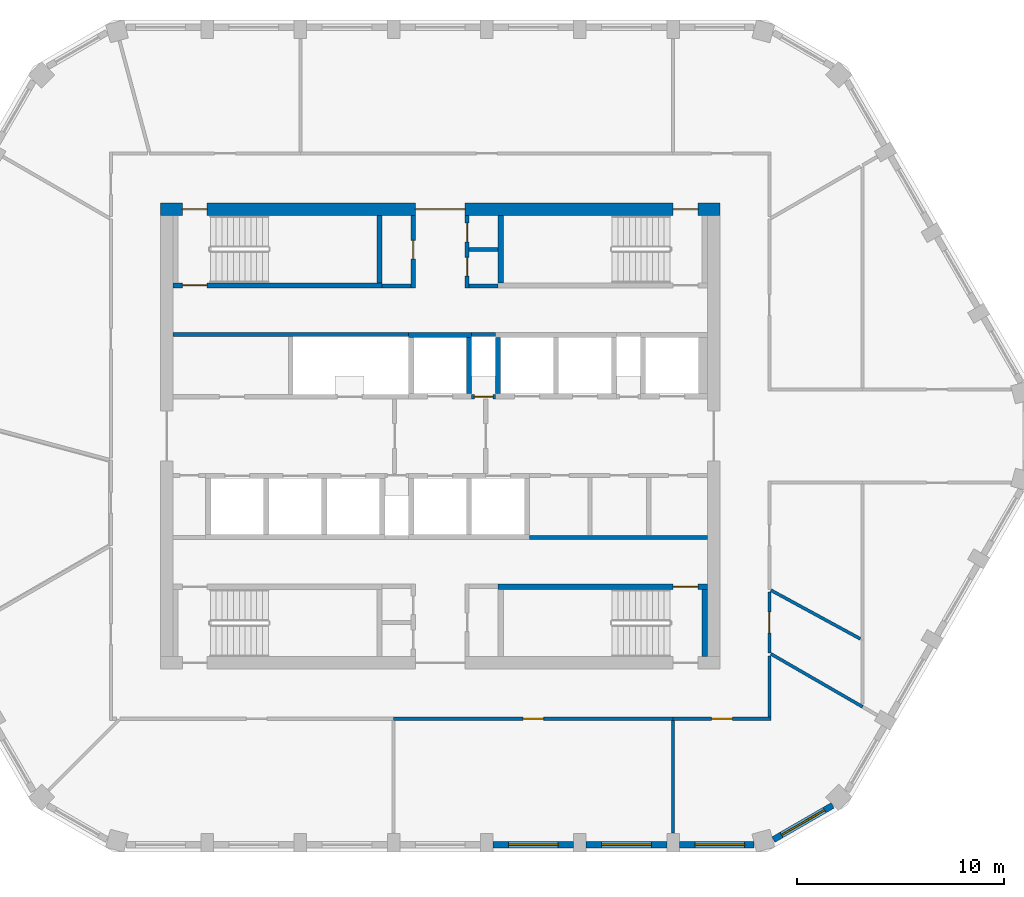
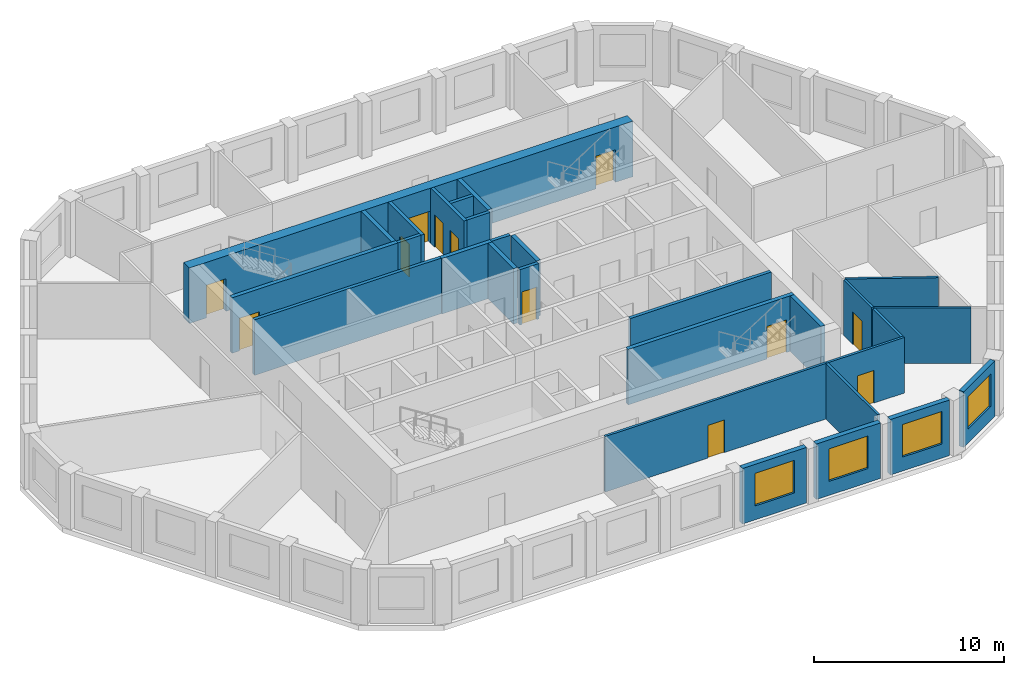
# One storey, part 4 of 9: 29 walls, 12 doors, 4 windows, 16 openings.
"""IFC4 building model written with IfcOpenShell, lengths in metres."""

from ifc_helpers import new_model, si_unit, direction, frame, frame_2d, origin, place, context, subcontext, project, spatial, polyline, rectangle, outline, extrude, material, layer, layer_set, type_object, element, fill, save


model = new_model("IFC4")

# Units and contexts
model_context = context("Model", 3, precision=1e-05, world=origin(), true_north=direction((0.0, 1.0)))
body_context = subcontext(model_context, "Body", "Model", "MODEL_VIEW")
ifc_project = project(units=[si_unit("LENGTHUNIT", "METRE"), si_unit("AREAUNIT", "SQUARE_METRE"), si_unit("VOLUMEUNIT", "CUBIC_METRE"), si_unit("PLANEANGLEUNIT", "RADIAN"), si_unit("MASSUNIT", "GRAM", prefix="KILO")], contexts=[model_context])

# Site, building, storey
site_placement = place(None, origin())
site = spatial("IfcSite", under=ifc_project, at=site_placement, CompositionType="ELEMENT")
building_placement = place(site_placement, origin())
building = spatial("IfcBuilding", under=site, at=building_placement, Name="Dhurran Vertical Campus", CompositionType="ELEMENT")
storey_placement = place(building_placement, frame((0.0, 0.0, 290.39990234375)))
storey = spatial("IfcBuildingStorey", under=building, at=storey_placement, Name="L72", CompositionType="ELEMENT", Elevation=290.39990234375)

# Wall, opening, window
ifc_material_1 = material(Name="Precast concrete C50/60", Category="concrete")
ifc_layer_1 = layer(ifc_material_1, 0.300048828125)
ifc_layer_set_1 = layer_set([ifc_layer_1], Name="Precast concrete C50/60")
wall_type_1 = type_object("IfcWallType", Name="Precast spandrel wall 300", PredefinedType="SOLIDWALL", material=ifc_layer_set_1)
wall_1_placement = place(storey_placement, frame((2.550537109375, -19.738525390625, 0.0), z_axis=(0.0, 0.0, 1.0), x_axis=(1.0, 0.0, 0.0)))
wall_1 = element("IfcWall", 1, at=wall_1_placement, inside=storey, type_object=wall_type_1, Name="EW1 L72.04", PredefinedType="SOLIDWALL", context=body_context, shape_type="SweptSolid", body=[
    extrude(rectangle(XDim=3.89892578125, YDim=0.300048828125, at=frame_2d((1.949462890625, 0.0))), origin(), (0.0, 0.0, 1.0), 3.5751953125),
])
opening_1_placement = place(wall_1_placement, frame((0.74951171875, 0.0, 0.89990234375)))
opening_1 = element("IfcOpeningElement", 2, at=opening_1_placement, cuts=wall_1, Name="Opening WT1", PredefinedType="OPENING", context=body_context, shape_type="SweptSolid", body=[
    extrude(rectangle(XDim=2.39990234375, YDim=2.10009765625, at=frame_2d((1.199951171875, 1.050048828125))), frame((0.0, 0.159912109375, 0.0), z_axis=(0.0, -1.0, 0.0), x_axis=(1.0, 0.0, 0.0)), (0.0, 0.0, 1.0), 0.320068359375),
])
ifc_material_2 = material(Name="Aluminium frame with solar-control glass", Category="aluminium")
window_type = type_object("IfcWindowType", Name="Punched window 2400 x 2100", PartitioningType="SINGLE_PANEL", PredefinedType="WINDOW", material=ifc_material_2)
window_1_placement = place(opening_1_placement, origin())
window_1 = element("IfcWindow", 3, at=window_1_placement, inside=storey, type_object=window_type, Name="WT1 L72.04", OverallHeight=2.10009765625, OverallWidth=2.39990234375, PartitioningType="SINGLE_PANEL", PredefinedType="WINDOW", context=body_context, shape_type="SweptSolid", body=[
    extrude(rectangle(XDim=2.39990234375, YDim=2.10009765625, at=frame_2d((1.199951171875, 1.050048828125))), frame((0.0, 0.030029296875, 0.0), z_axis=(0.0, -1.0, 0.0), x_axis=(1.0, 0.0, 0.0)), (0.0, 0.0, 1.0), 0.06005859375),
])
fill(opening_1, window_1)

wall_2_placement = place(storey_placement, frame((7.050537109375, -19.738525390625, 0.0), z_axis=(0.0, 0.0, 1.0), x_axis=(1.0, 0.0, 0.0)))
wall_2 = element("IfcWall", 4, at=wall_2_placement, inside=storey, type_object=wall_type_1, Name="EW1 L72.05", PredefinedType="SOLIDWALL", context=body_context, shape_type="SweptSolid", body=[
    extrude(rectangle(XDim=3.89892578125, YDim=0.300048828125, at=frame_2d((1.949462890625, 0.0))), origin(), (0.0, 0.0, 1.0), 3.5751953125),
])
opening_2_placement = place(wall_2_placement, frame((0.74951171875, 0.0, 0.89990234375)))
opening_2 = element("IfcOpeningElement", 5, at=opening_2_placement, cuts=wall_2, Name="Opening WT1", PredefinedType="OPENING", context=body_context, shape_type="SweptSolid", body=[
    extrude(rectangle(XDim=2.39990234375, YDim=2.10009765625, at=frame_2d((1.199951171875, 1.050048828125))), frame((0.0, 0.159912109375, 0.0), z_axis=(0.0, -1.0, 0.0), x_axis=(1.0, 0.0, 0.0)), (0.0, 0.0, 1.0), 0.320068359375),
])
window_2_placement = place(opening_2_placement, origin())
window_2 = element("IfcWindow", 6, at=window_2_placement, inside=storey, type_object=window_type, Name="WT1 L72.05", OverallHeight=2.10009765625, OverallWidth=2.39990234375, PartitioningType="SINGLE_PANEL", PredefinedType="WINDOW", context=body_context, shape_type="SweptSolid", body=[
    extrude(rectangle(XDim=2.39990234375, YDim=2.10009765625, at=frame_2d((1.199951171875, 1.050048828125))), frame((0.0, 0.030029296875, 0.0), z_axis=(0.0, -1.0, 0.0), x_axis=(1.0, 0.0, 0.0)), (0.0, 0.0, 1.0), 0.06005859375),
])
fill(opening_2, window_2)

wall_3_placement = place(storey_placement, frame((11.550537109375, -19.738525390625, 0.0), z_axis=(0.0, 0.0, 1.0), x_axis=(1.0, 0.0, 0.0)))
wall_3 = element("IfcWall", 7, at=wall_3_placement, inside=storey, type_object=wall_type_1, Name="EW1 L72.06", PredefinedType="SOLIDWALL", context=body_context, shape_type="SweptSolid", body=[
    extrude(rectangle(XDim=3.599365234375, YDim=0.300048828125, at=frame_2d((1.7998046875, 0.0))), origin(), (0.0, 0.0, 1.0), 3.5751953125),
])
opening_3_placement = place(wall_3_placement, frame((0.74951171875, 0.0, 0.89990234375)))
opening_3 = element("IfcOpeningElement", 8, at=opening_3_placement, cuts=wall_3, Name="Opening WT1", PredefinedType="OPENING", context=body_context, shape_type="SweptSolid", body=[
    extrude(rectangle(XDim=2.39990234375, YDim=2.10009765625, at=frame_2d((1.199951171875, 1.050048828125))), frame((0.0, 0.159912109375, 0.0), z_axis=(0.0, -1.0, 0.0), x_axis=(1.0, 0.0, 0.0)), (0.0, 0.0, 1.0), 0.320068359375),
])
window_3_placement = place(opening_3_placement, origin())
window_3 = element("IfcWindow", 9, at=window_3_placement, inside=storey, type_object=window_type, Name="WT1 L72.06", OverallHeight=2.10009765625, OverallWidth=2.39990234375, PartitioningType="SINGLE_PANEL", PredefinedType="WINDOW", context=body_context, shape_type="SweptSolid", body=[
    extrude(rectangle(XDim=2.39990234375, YDim=2.10009765625, at=frame_2d((1.199951171875, 1.050048828125))), frame((0.0, 0.030029296875, 0.0), z_axis=(0.0, -1.0, 0.0), x_axis=(1.0, 0.0, 0.0)), (0.0, 0.0, 1.0), 0.06005859375),
])
fill(opening_3, window_3)

wall_4_placement = place(storey_placement, frame((16.0947265625, -19.4853515625, 0.0), z_axis=(0.0, 0.0, 1.0), x_axis=(0.866021716278, 0.500006386895, 0.0)))
wall_4 = element("IfcWall", 10, at=wall_4_placement, inside=storey, type_object=wall_type_1, Name="EW1 L72.07", PredefinedType="SOLIDWALL", context=body_context, shape_type="SweptSolid", body=[
    extrude(rectangle(XDim=3.2998046875, YDim=0.300048828125, at=frame_2d((1.64990234375, 0.0))), origin(), (0.0, 0.0, 1.0), 3.5751953125),
])
opening_4_placement = place(wall_4_placement, frame((0.449951171875, 0.0, 0.89990234375)))
opening_4 = element("IfcOpeningElement", 11, at=opening_4_placement, cuts=wall_4, Name="Opening WT1", PredefinedType="OPENING", context=body_context, shape_type="SweptSolid", body=[
    extrude(rectangle(XDim=2.39990234375, YDim=2.10009765625, at=frame_2d((1.199951171875, 1.050048828125))), frame((0.0, 0.159912109375, 0.0), z_axis=(0.0, -1.0, 0.0), x_axis=(1.0, 0.0, 0.0)), (0.0, 0.0, 1.0), 0.320068359375),
])
window_4_placement = place(opening_4_placement, origin())
window_4 = element("IfcWindow", 12, at=window_4_placement, inside=storey, type_object=window_type, Name="WT1 L72.07", OverallHeight=2.10009765625, OverallWidth=2.39990234375, PartitioningType="SINGLE_PANEL", PredefinedType="WINDOW", context=body_context, shape_type="SweptSolid", body=[
    extrude(rectangle(XDim=2.39990234375, YDim=2.10009765625, at=frame_2d((1.199951171875, 1.050048828125))), frame((0.0, 0.030029296875, 0.0), z_axis=(0.0, -1.0, 0.0), x_axis=(1.0, 0.0, 0.0)), (0.0, 0.0, 1.0), 0.06005859375),
])
fill(opening_4, window_4)

# Wall, openings, doors
ifc_material_3 = material(Name="Concrete C50/60", Category="concrete")
ifc_layer_2 = layer(ifc_material_3, 0.60009765625)
ifc_layer_set_2 = layer_set([ifc_layer_2], Name="Concrete C50/60")
wall_type_2 = type_object("IfcWallType", Name="co-CORE-WALL-C2-600", PredefinedType="SHEAR", material=ifc_layer_set_2)
wall_5_placement = place(storey_placement, frame((-13.5, 10.949951171875, 0.0), z_axis=(0.0, 0.0, 1.0), x_axis=(1.0, 0.0, 0.0)))
wall_5 = element("IfcWall", 13, at=wall_5_placement, inside=storey, type_object=wall_type_2, Name="Core wall N L72", PredefinedType="SHEAR", context=body_context, shape_type="SweptSolid", body=[
    extrude(rectangle(XDim=27.0, YDim=0.60009765625, at=frame_2d((13.5, 0.0))), origin(), (0.0, 0.0, 1.0), 3.5751953125),
])
opening_5_placement = place(wall_5_placement, frame((12.300048828125, 0.0, 0.0)))
opening_5 = element("IfcOpeningElement", 14, at=opening_5_placement, cuts=wall_5, Name="Opening CV1", PredefinedType="OPENING", context=body_context, shape_type="SweptSolid", body=[
    extrude(rectangle(XDim=2.39990234375, YDim=2.10009765625, at=frame_2d((1.199951171875, 1.050048828125))), frame((0.0, 0.31005859375, 0.0), z_axis=(0.0, -1.0, 0.0), x_axis=(1.0, 0.0, 0.0)), (0.0, 0.0, 1.0), 0.6201171875),
])
opening_6_placement = place(wall_5_placement, frame((1.050048828125, 0.0, 0.0)))
opening_6 = element("IfcOpeningElement", 15, at=opening_6_placement, cuts=wall_5, Name="Opening XD1", PredefinedType="OPENING", context=body_context, shape_type="SweptSolid", body=[
    extrude(rectangle(XDim=1.199951171875, YDim=2.10009765625, at=frame_2d((0.60009765625, 1.050048828125))), frame((0.0, 0.31005859375, 0.0), z_axis=(0.0, -1.0, 0.0), x_axis=(1.0, 0.0, 0.0)), (0.0, 0.0, 1.0), 0.6201171875),
])
opening_7_placement = place(wall_5_placement, frame((24.75, 0.0, 0.0)))
opening_7 = element("IfcOpeningElement", 16, at=opening_7_placement, cuts=wall_5, Name="Opening XD2", PredefinedType="OPENING", context=body_context, shape_type="SweptSolid", body=[
    extrude(rectangle(XDim=1.199951171875, YDim=2.10009765625, at=frame_2d((0.60009765625, 1.050048828125))), frame((0.0, 0.31005859375, 0.0), z_axis=(0.0, -1.0, 0.0), x_axis=(1.0, 0.0, 0.0)), (0.0, 0.0, 1.0), 0.6201171875),
])
ifc_material_4 = material(Name="Fire-rated glazed door set")
door_type_1 = type_object("IfcDoorType", Name="co-D-LOBBY 2400x2100", OperationType="DOUBLE_DOOR_DOUBLE_SWING", PredefinedType="DOOR", material=ifc_material_4)
door_1_placement = place(opening_5_placement, origin())
door_1 = element("IfcDoor", 17, at=door_1_placement, inside=storey, type_object=door_type_1, Name="Core vestibule door N L72", OperationType="DOUBLE_DOOR_DOUBLE_SWING", OverallHeight=2.10009765625, OverallWidth=2.39990234375, PredefinedType="DOOR", context=body_context, shape_type="SweptSolid", body=[
    extrude(rectangle(XDim=2.39990234375, YDim=2.10009765625, at=frame_2d((1.199951171875, 1.050048828125))), frame((0.0, 0.02490234375, 0.0), z_axis=(0.0, -1.0, 0.0), x_axis=(1.0, 0.0, 0.0)), (0.0, 0.0, 1.0), 0.050048828125),
])
fill(opening_5, door_1)
ifc_material_5 = material(Name="Fire-rated steel door set", Category="steel")
door_type_2 = type_object("IfcDoorType", Name="co-D-STAIR-EXIT 1200x2100", OperationType="SINGLE_SWING_RIGHT", PredefinedType="DOOR", material=ifc_material_5)
door_2_placement = place(opening_6_placement, origin())
door_2 = element("IfcDoor", 18, at=door_2_placement, inside=storey, type_object=door_type_2, Name="Stair ST1 exit door L72", OperationType="SINGLE_SWING_RIGHT", OverallHeight=2.10009765625, OverallWidth=1.199951171875, PredefinedType="DOOR", context=body_context, shape_type="SweptSolid", body=[
    extrude(rectangle(XDim=1.199951171875, YDim=2.10009765625, at=frame_2d((0.60009765625, 1.050048828125))), frame((0.0, 0.02490234375, 0.0), z_axis=(0.0, -1.0, 0.0), x_axis=(1.0, 0.0, 0.0)), (0.0, 0.0, 1.0), 0.050048828125),
])
fill(opening_6, door_2)
door_3_placement = place(opening_7_placement, origin())
door_3 = element("IfcDoor", 19, at=door_3_placement, inside=storey, type_object=door_type_2, Name="Stair ST2 exit door L72", OperationType="SINGLE_SWING_RIGHT", OverallHeight=2.10009765625, OverallWidth=1.199951171875, PredefinedType="DOOR", context=body_context, shape_type="SweptSolid", body=[
    extrude(rectangle(XDim=1.199951171875, YDim=2.10009765625, at=frame_2d((0.60009765625, 1.050048828125))), frame((0.0, 0.02490234375, 0.0), z_axis=(0.0, -1.0, 0.0), x_axis=(1.0, 0.0, 0.0)), (0.0, 0.0, 1.0), 0.050048828125),
])
fill(opening_7, door_3)

# Walls
ifc_material_6 = material(Name="Fire-rated masonry blockwork", Category="masonry")
ifc_layer_3 = layer(ifc_material_6, 0.199951171875)
ifc_layer_set_3 = layer_set([ifc_layer_3], Name="Fire-rated masonry blockwork")
wall_type_3 = type_object("IfcWallType", Name="co-FIRE-PARTITION-200", PredefinedType="PARTITIONING", material=ifc_layer_set_3)
for number, where, z_axis, x_axis, name in (
    (20, (-2.800048828125, 7.25, 0.0), (0.0, 0.0, 1.0), (1.0, 0.0, 0.0), "Core partition sl-NW-S L72"),
    (21, (1.39990234375, 7.25, 0.0), (0.0, 0.0, 1.0), (1.0, 0.0, 0.0), "Core partition sl-NE-S L72"),
    (22, (1.39990234375, 9.0, 0.0), (0.0, 0.0, 1.0), (1.0, 0.0, 0.0), "Core partition sl-NE-cut0 L72"),
):
    element("IfcWall", number, at=place(storey_placement, frame(where, z_axis=z_axis, x_axis=x_axis)), inside=storey, type_object=wall_type_3, Name=name, PredefinedType="PARTITIONING", context=body_context, shape_type="SweptSolid", body=[
        extrude(rectangle(XDim=1.400146484375, YDim=0.199951171875, at=frame_2d((0.7001953125, 0.0))), origin(), (0.0, 0.0, 1.0), 3.5751953125),
    ])

# Wall, opening, door
wall_6_placement = place(storey_placement, frame((-1.300048828125, 7.14990234375, 0.0), z_axis=(0.0, 0.0, 1.0), x_axis=(0.0, 1.0, 0.0)))
wall_6 = element("IfcWall", 23, at=wall_6_placement, inside=storey, type_object=wall_type_3, Name="Core partition vest-NW L72", PredefinedType="PARTITIONING", context=body_context, shape_type="SweptSolid", body=[
    extrude(rectangle(XDim=3.5, YDim=0.199951171875, at=frame_2d((1.75, 0.0))), origin(), (0.0, 0.0, 1.0), 3.5751953125),
])
opening_8_placement = place(wall_6_placement, frame((1.39990234375, 0.0, 0.0)))
opening_8 = element("IfcOpeningElement", 24, at=opening_8_placement, cuts=wall_6, Name="Opening T21-C4", PredefinedType="OPENING", context=body_context, shape_type="SweptSolid", body=[
    extrude(rectangle(XDim=0.89990234375, YDim=2.10009765625, at=frame_2d((0.449951171875, 1.050048828125))), frame((0.0, 0.10986328125, 0.0), z_axis=(0.0, -1.0, 0.0), x_axis=(1.0, 0.0, 0.0)), (0.0, 0.0, 1.0), 0.219970703125),
])
ifc_material_7 = material(Name="Fire-rated timber door set", Category="wood")
door_type_3 = type_object("IfcDoorType", Name="co-D-ROOM 900x2100", OperationType="SINGLE_SWING_LEFT", PredefinedType="DOOR", material=ifc_material_7)
door_4_placement = place(opening_8_placement, origin())
door_4 = element("IfcDoor", 25, at=door_4_placement, inside=storey, type_object=door_type_3, Name="Plant room door L72", OperationType="SINGLE_SWING_LEFT", OverallHeight=2.10009765625, OverallWidth=0.89990234375, PredefinedType="DOOR", context=body_context, shape_type="SweptSolid", body=[
    extrude(rectangle(XDim=0.89990234375, YDim=2.10009765625, at=frame_2d((0.449951171875, 1.050048828125))), frame((0.0, 0.02490234375, 0.0), z_axis=(0.0, -1.0, 0.0), x_axis=(1.0, 0.0, 0.0)), (0.0, 0.0, 1.0), 0.050048828125),
])
fill(opening_8, door_4)

# Wall, openings, doors
wall_7_placement = place(storey_placement, frame((1.300048828125, 7.14990234375, 0.0), z_axis=(0.0, 0.0, 1.0), x_axis=(0.0, 1.0, 0.0)))
wall_7 = element("IfcWall", 26, at=wall_7_placement, inside=storey, type_object=wall_type_3, Name="Core partition vest-NE L72", PredefinedType="PARTITIONING", context=body_context, shape_type="SweptSolid", body=[
    extrude(rectangle(XDim=3.5, YDim=0.199951171875, at=frame_2d((1.75, 0.0))), origin(), (0.0, 0.0, 1.0), 3.5751953125),
])
opening_9_placement = place(wall_7_placement, frame((0.574951171875, 0.0, 0.0)))
opening_9 = element("IfcOpeningElement", 27, at=opening_9_placement, cuts=wall_7, Name="Opening T21-C5", PredefinedType="OPENING", context=body_context, shape_type="SweptSolid", body=[
    extrude(rectangle(XDim=0.89990234375, YDim=2.10009765625, at=frame_2d((0.449951171875, 1.050048828125))), frame((0.0, 0.10986328125, 0.0), z_axis=(0.0, -1.0, 0.0), x_axis=(1.0, 0.0, 0.0)), (0.0, 0.0, 1.0), 0.219970703125),
])
opening_10_placement = place(wall_7_placement, frame((2.22509765625, 0.0, 0.0)))
opening_10 = element("IfcOpeningElement", 28, at=opening_10_placement, cuts=wall_7, Name="Opening T21-C6", PredefinedType="OPENING", context=body_context, shape_type="SweptSolid", body=[
    extrude(rectangle(XDim=0.89990234375, YDim=2.10009765625, at=frame_2d((0.449951171875, 1.050048828125))), frame((0.0, 0.10986328125, 0.0), z_axis=(0.0, -1.0, 0.0), x_axis=(1.0, 0.0, 0.0)), (0.0, 0.0, 1.0), 0.219970703125),
])
door_5_placement = place(opening_9_placement, origin())
door_5 = element("IfcDoor", 29, at=door_5_placement, inside=storey, type_object=door_type_3, Name="Communications room door L72", OperationType="SINGLE_SWING_LEFT", OverallHeight=2.10009765625, OverallWidth=0.89990234375, PredefinedType="DOOR", context=body_context, shape_type="SweptSolid", body=[
    extrude(rectangle(XDim=0.89990234375, YDim=2.10009765625, at=frame_2d((0.449951171875, 1.050048828125))), frame((0.0, 0.02490234375, 0.0), z_axis=(0.0, -1.0, 0.0), x_axis=(1.0, 0.0, 0.0)), (0.0, 0.0, 1.0), 0.050048828125),
])
fill(opening_9, door_5)
door_6_placement = place(opening_10_placement, origin())
door_6 = element("IfcDoor", 30, at=door_6_placement, inside=storey, type_object=door_type_3, Name="Server room door L72", OperationType="SINGLE_SWING_LEFT", OverallHeight=2.10009765625, OverallWidth=0.89990234375, PredefinedType="DOOR", context=body_context, shape_type="SweptSolid", body=[
    extrude(rectangle(XDim=0.89990234375, YDim=2.10009765625, at=frame_2d((0.449951171875, 1.050048828125))), frame((0.0, 0.02490234375, 0.0), z_axis=(0.0, -1.0, 0.0), x_axis=(1.0, 0.0, 0.0)), (0.0, 0.0, 1.0), 0.050048828125),
])
fill(opening_10, door_6)

# Wall
wall_8_placement = place(storey_placement, frame((-12.89990234375, 4.89990234375, 0.0), z_axis=(0.0, 0.0, 1.0), x_axis=(1.0, 0.0, 0.0)))
element("IfcWall", 31, at=wall_8_placement, inside=storey, type_object=wall_type_3, Name="Core partition fr-N0-b L72", PredefinedType="PARTITIONING", context=body_context, shape_type="SweptSolid", body=[
    extrude(rectangle(XDim=11.375, YDim=0.199951171875, at=frame_2d((5.6875, 0.0))), origin(), (0.0, 0.0, 1.0), 3.5751953125),
])

# Wall, opening, door
wall_9_placement = place(storey_placement, frame((1.52490234375, 1.89990234375, 0.0), z_axis=(0.0, 0.0, 1.0), x_axis=(1.0, 0.0, 0.0)))
wall_9 = element("IfcWall", 32, at=wall_9_placement, inside=storey, type_object=wall_type_3, Name="Core partition fr-N1-f L72", PredefinedType="PARTITIONING", context=body_context, shape_type="SweptSolid", body=[
    extrude(rectangle(XDim=1.150146484375, YDim=0.199951171875, at=frame_2d((0.5751953125, 0.0))), origin(), (0.0, 0.0, 1.0), 3.5751953125),
])
opening_11_placement = place(wall_9_placement, frame((0.125, 0.0, 0.0)))
opening_11 = element("IfcOpeningElement", 33, at=opening_11_placement, cuts=wall_9, Name="Opening T21-C9", PredefinedType="OPENING", context=body_context, shape_type="SweptSolid", body=[
    extrude(rectangle(XDim=0.89990234375, YDim=2.10009765625, at=frame_2d((0.449951171875, 1.050048828125))), frame((0.0, 0.10986328125, 0.0), z_axis=(0.0, -1.0, 0.0), x_axis=(1.0, 0.0, 0.0)), (0.0, 0.0, 1.0), 0.219970703125),
])
door_7_placement = place(opening_11_placement, origin())
door_7 = element("IfcDoor", 34, at=door_7_placement, inside=storey, type_object=door_type_3, Name="Water riser door L72", OperationType="SINGLE_SWING_LEFT", OverallHeight=2.10009765625, OverallWidth=0.89990234375, PredefinedType="DOOR", context=body_context, shape_type="SweptSolid", body=[
    extrude(rectangle(XDim=0.89990234375, YDim=2.10009765625, at=frame_2d((0.449951171875, 1.050048828125))), frame((0.0, 0.02490234375, 0.0), z_axis=(0.0, -1.0, 0.0), x_axis=(1.0, 0.0, 0.0)), (0.0, 0.0, 1.0), 0.050048828125),
])
fill(opening_11, door_7)

# Walls
wall_10_placement = place(storey_placement, frame((1.52490234375, 4.89990234375, 0.0), z_axis=(0.0, 0.0, 1.0), x_axis=(1.0, 0.0, 0.0)))
element("IfcWall", 35, at=wall_10_placement, inside=storey, type_object=wall_type_3, Name="Core partition fr-N1-b L72", PredefinedType="PARTITIONING", context=body_context, shape_type="SweptSolid", body=[
    extrude(rectangle(XDim=1.150146484375, YDim=0.199951171875, at=frame_2d((0.5751953125, 0.0))), origin(), (0.0, 0.0, 1.0), 3.5751953125),
])
wall_11_placement = place(storey_placement, frame((4.324951171875, -4.89990234375, 0.0), z_axis=(0.0, 0.0, 1.0), x_axis=(1.0, 0.0, 0.0)))
element("IfcWall", 36, at=wall_11_placement, inside=storey, type_object=wall_type_3, Name="Core partition fr-S2-b L72", PredefinedType="PARTITIONING", context=body_context, shape_type="SweptSolid", body=[
    extrude(rectangle(XDim=8.574951171875, YDim=0.199951171875, at=frame_2d((4.28759765625, 0.0))), origin(), (0.0, 0.0, 1.0), 3.5751953125),
])
ifc_material_8 = material(Name="Concrete C50/60", Category="concrete")
ifc_layer_4 = layer(ifc_material_8, 0.25)
ifc_layer_set_4 = layer_set([ifc_layer_4], Name="Concrete C50/60")
wall_type_4 = type_object("IfcWallType", Name="co-SHAFT-MASS-250", PredefinedType="SHEAR", material=ifc_layer_set_4)
wall_12_placement = place(storey_placement, origin())
element("IfcWall", 37, at=wall_12_placement, inside=storey, type_object=wall_type_4, Name="Lift shaft wall N L72 1", PredefinedType="SHEAR", context=body_context, shape_type="SweptSolid", body=[
    extrude(outline(polyline([(-1.52490234375, 4.75), (1.52490234375, 4.75), (1.52490234375, 5.0), (-1.52490234375, 5.0), (-1.52490234375, 4.75)])), origin(), (0.0, 0.0, 1.0), 3.5751953125),
])
wall_13_placement = place(storey_placement, origin())
element("IfcWall", 38, at=wall_13_placement, inside=storey, type_object=wall_type_4, Name="Lift shaft wall N L72 5", PredefinedType="SHEAR", context=body_context, shape_type="SweptSolid", body=[
    extrude(outline(polyline([(1.27490234375, 2.050048828125), (1.52490234375, 2.050048828125), (1.52490234375, 4.75), (1.27490234375, 4.75), (1.27490234375, 2.050048828125)])), origin(), (0.0, 0.0, 1.0), 3.5751953125),
])
wall_14_placement = place(storey_placement, origin())
element("IfcWall", 39, at=wall_14_placement, inside=storey, type_object=wall_type_4, Name="Lift shaft wall N L72 6", PredefinedType="SHEAR", context=body_context, shape_type="SweptSolid", body=[
    extrude(outline(polyline([(2.675048828125, 2.050048828125), (2.925048828125, 2.050048828125), (2.925048828125, 4.75), (2.675048828125, 4.75), (2.675048828125, 2.050048828125)])), origin(), (0.0, 0.0, 1.0), 3.5751953125),
])

# Wall, opening, door
ifc_material_9 = material(Name="Concrete C40/50", Category="concrete")
ifc_layer_5 = layer(ifc_material_9, 0.25)
ifc_layer_set_5 = layer_set([ifc_layer_5], Name="Concrete C40/50")
wall_type_5 = type_object("IfcWallType", Name="co-STAIR-WALL-250", PredefinedType="SHEAR", material=ifc_layer_set_5)
wall_15_placement = place(storey_placement, frame((-12.89990234375, 7.27490234375, 0.0), z_axis=(0.0, 0.0, 1.0), x_axis=(1.0, 0.0, 0.0)))
wall_15 = element("IfcWall", 40, at=wall_15_placement, inside=storey, type_object=wall_type_5, Name="Stair ST1 enclosure wall L72", PredefinedType="SHEAR", context=body_context, shape_type="SweptSolid", body=[
    extrude(rectangle(XDim=10.099853515625, YDim=0.25, at=frame_2d((5.0498046875, 0.0))), origin(), (0.0, 0.0, 1.0), 3.5751953125),
])
opening_12_placement = place(wall_15_placement, frame((0.449951171875, 0.0, 0.0)))
opening_12 = element("IfcOpeningElement", 41, at=opening_12_placement, cuts=wall_15, Name="Opening SD1", PredefinedType="OPENING", context=body_context, shape_type="SweptSolid", body=[
    extrude(rectangle(XDim=1.199951171875, YDim=2.10009765625, at=frame_2d((0.60009765625, 1.050048828125))), frame((0.0, 0.135009765625, 0.0), z_axis=(0.0, -1.0, 0.0), x_axis=(1.0, 0.0, 0.0)), (0.0, 0.0, 1.0), 0.27001953125),
])
ifc_material_10 = material(Name="Fire-rated steel door set", Category="steel")
door_type_4 = type_object("IfcDoorType", Name="co-D-STAIR 1200x2100", OperationType="SINGLE_SWING_LEFT", PredefinedType="DOOR", material=ifc_material_10)
door_8_placement = place(opening_12_placement, origin())
door_8 = element("IfcDoor", 42, at=door_8_placement, inside=storey, type_object=door_type_4, Name="Stair ST1 door L72", OperationType="SINGLE_SWING_LEFT", OverallHeight=2.10009765625, OverallWidth=1.199951171875, PredefinedType="DOOR", context=body_context, shape_type="SweptSolid", body=[
    extrude(rectangle(XDim=1.199951171875, YDim=2.10009765625, at=frame_2d((0.60009765625, 1.050048828125))), frame((0.0, 0.02490234375, 0.0), z_axis=(0.0, -1.0, 0.0), x_axis=(1.0, 0.0, 0.0)), (0.0, 0.0, 1.0), 0.050048828125),
])
fill(opening_12, door_8)

# Walls
for number, where, z_axis, x_axis, name in (
    (43, (-2.925048828125, 7.39990234375, 0.0), (0.0, 0.0, 1.0), (0.0, 1.0, 0.0), "Stair ST1 enclosure wall L72"),
    (44, (2.925048828125, 7.39990234375, 0.0), (0.0, 0.0, 1.0), (0.0, 1.0, 0.0), "Stair ST2 enclosure wall L72"),
):
    element("IfcWall", number, at=place(storey_placement, frame(where, z_axis=z_axis, x_axis=x_axis)), inside=storey, type_object=wall_type_5, Name=name, PredefinedType="SHEAR", context=body_context, shape_type="SweptSolid", body=[
        extrude(rectangle(XDim=3.25, YDim=0.25, at=frame_2d((1.625, 0.0))), origin(), (0.0, 0.0, 1.0), 3.5751953125),
    ])

# Wall, opening, door
wall_16_placement = place(storey_placement, frame((2.800048828125, -7.27490234375, 0.0), z_axis=(0.0, 0.0, 1.0), x_axis=(1.0, 0.0, 0.0)))
wall_16 = element("IfcWall", 45, at=wall_16_placement, inside=storey, type_object=wall_type_5, Name="Stair ST4 enclosure wall L72", PredefinedType="SHEAR", context=body_context, shape_type="SweptSolid", body=[
    extrude(rectangle(XDim=10.099853515625, YDim=0.25, at=frame_2d((5.0498046875, 0.0))), origin(), (0.0, 0.0, 1.0), 3.5751953125),
])
opening_13_placement = place(wall_16_placement, frame((8.449951171875, 0.0, 0.0)))
opening_13 = element("IfcOpeningElement", 46, at=opening_13_placement, cuts=wall_16, Name="Opening SD4", PredefinedType="OPENING", context=body_context, shape_type="SweptSolid", body=[
    extrude(rectangle(XDim=1.199951171875, YDim=2.10009765625, at=frame_2d((0.60009765625, 1.050048828125))), frame((0.0, 0.135009765625, 0.0), z_axis=(0.0, -1.0, 0.0), x_axis=(1.0, 0.0, 0.0)), (0.0, 0.0, 1.0), 0.27001953125),
])
door_9_placement = place(opening_13_placement, origin())
door_9 = element("IfcDoor", 47, at=door_9_placement, inside=storey, type_object=door_type_4, Name="Stair ST4 door L72", OperationType="SINGLE_SWING_LEFT", OverallHeight=2.10009765625, OverallWidth=1.199951171875, PredefinedType="DOOR", context=body_context, shape_type="SweptSolid", body=[
    extrude(rectangle(XDim=1.199951171875, YDim=2.10009765625, at=frame_2d((0.60009765625, 1.050048828125))), frame((0.0, 0.02490234375, 0.0), z_axis=(0.0, -1.0, 0.0), x_axis=(1.0, 0.0, 0.0)), (0.0, 0.0, 1.0), 0.050048828125),
])
fill(opening_13, door_9)

# Wall
wall_17_placement = place(storey_placement, frame((12.77490234375, -10.64990234375, 0.0), z_axis=(0.0, 0.0, 1.0), x_axis=(0.0, 1.0, 0.0)))
element("IfcWall", 48, at=wall_17_placement, inside=storey, type_object=wall_type_5, Name="Stair ST4 enclosure wall L72", PredefinedType="SHEAR", context=body_context, shape_type="SweptSolid", body=[
    extrude(rectangle(XDim=3.25, YDim=0.25, at=frame_2d((1.625, 0.0))), origin(), (0.0, 0.0, 1.0), 3.5751953125),
])

# Wall, opening, door
ifc_material_11 = material(Name="Gypsum board corridor wall on steel studs", Category="steel")
ifc_layer_6 = layer(ifc_material_11, 0.14990234375)
ifc_layer_set_6 = layer_set([ifc_layer_6], Name="Gypsum board corridor wall on steel studs")
wall_type_6 = type_object("IfcWallType", Name="fl-CW-150 corridor wall", PredefinedType="PARTITIONING", material=ifc_layer_set_6)
wall_18_placement = place(storey_placement, frame((-2.25, -13.64990234375, 0.0), z_axis=(0.0, 0.0, 1.0), x_axis=(1.0, 0.0, 0.0)))
wall_18 = element("IfcWall", 49, at=wall_18_placement, inside=storey, type_object=wall_type_6, Name="Partition 72-17", PredefinedType="PARTITIONING", context=body_context, shape_type="SweptSolid", body=[
    extrude(rectangle(XDim=13.5, YDim=0.14990234375, at=frame_2d((6.75, 0.0))), origin(), (0.0, 0.0, 1.0), 3.5751953125),
])
opening_14_placement = place(wall_18_placement, frame((6.25, 0.0, 0.0)))
opening_14 = element("IfcOpeningElement", 50, at=opening_14_placement, cuts=wall_18, Name="Opening T21.08", PredefinedType="OPENING", context=body_context, shape_type="SweptSolid", body=[
    extrude(rectangle(XDim=1.0, YDim=2.10009765625, at=frame_2d((0.5, 1.050048828125))), frame((0.0, 0.0849609375, 0.0), z_axis=(0.0, -1.0, 0.0), x_axis=(1.0, 0.0, 0.0)), (0.0, 0.0, 1.0), 0.169921875),
])
ifc_material_12 = material(Name="Solid-core timber door set, fire-rated", Category="wood")
door_type_5 = type_object("IfcDoorType", Name="fl-D-1000x2100", OperationType="SINGLE_SWING_LEFT", PredefinedType="DOOR", material=ifc_material_12)
door_10_placement = place(opening_14_placement, origin())
door_10 = element("IfcDoor", 51, at=door_10_placement, inside=storey, type_object=door_type_5, Name="Door 72.08", OperationType="SINGLE_SWING_RIGHT", OverallHeight=2.10009765625, OverallWidth=1.0, PredefinedType="DOOR", context=body_context, shape_type="SweptSolid", body=[
    extrude(rectangle(XDim=1.0, YDim=2.10009765625, at=frame_2d((0.5, 1.050048828125))), frame((0.0, 0.02490234375, 0.0), z_axis=(0.0, -1.0, 0.0), x_axis=(1.0, 0.0, 0.0)), (0.0, 0.0, 1.0), 0.050048828125),
])
fill(opening_14, door_10)

wall_19_placement = place(storey_placement, frame((11.25, -13.64990234375, 0.0), z_axis=(0.0, 0.0, 1.0), x_axis=(1.0, 0.0, 0.0)))
wall_19 = element("IfcWall", 52, at=wall_19_placement, inside=storey, type_object=wall_type_6, Name="Partition 72-19", PredefinedType="PARTITIONING", context=body_context, shape_type="SweptSolid", body=[
    extrude(rectangle(XDim=4.72509765625, YDim=0.14990234375, at=frame_2d((2.362548828125, 0.0))), origin(), (0.0, 0.0, 1.0), 3.5751953125),
])
opening_15_placement = place(wall_19_placement, frame((1.862548828125, 0.0, 0.0)))
opening_15 = element("IfcOpeningElement", 53, at=opening_15_placement, cuts=wall_19, Name="Opening T21.09", PredefinedType="OPENING", context=body_context, shape_type="SweptSolid", body=[
    extrude(rectangle(XDim=1.0, YDim=2.10009765625, at=frame_2d((0.5, 1.050048828125))), frame((0.0, 0.0849609375, 0.0), z_axis=(0.0, -1.0, 0.0), x_axis=(1.0, 0.0, 0.0)), (0.0, 0.0, 1.0), 0.169921875),
])
door_11_placement = place(opening_15_placement, origin())
door_11 = element("IfcDoor", 54, at=door_11_placement, inside=storey, type_object=door_type_5, Name="Door 72.09", OperationType="SINGLE_SWING_LEFT", OverallHeight=2.10009765625, OverallWidth=1.0, PredefinedType="DOOR", context=body_context, shape_type="SweptSolid", body=[
    extrude(rectangle(XDim=1.0, YDim=2.10009765625, at=frame_2d((0.5, 1.050048828125))), frame((0.0, 0.02490234375, 0.0), z_axis=(0.0, -1.0, 0.0), x_axis=(1.0, 0.0, 0.0)), (0.0, 0.0, 1.0), 0.050048828125),
])
fill(opening_15, door_11)

# Wall
wall_20_placement = place(storey_placement, frame((15.89990234375, -13.574951171875, 0.0), z_axis=(0.0, 0.0, 1.0), x_axis=(0.0, 1.0, 0.0)))
element("IfcWall", 55, at=wall_20_placement, inside=storey, type_object=wall_type_6, Name="Partition 72-22", PredefinedType="PARTITIONING", context=body_context, shape_type="SweptSolid", body=[
    extrude(rectangle(XDim=2.966064453125, YDim=0.14990234375, at=frame_2d((1.48291015625, 0.0))), origin(), (0.0, 0.0, 1.0), 3.5751953125),
])

# Wall, opening, door
wall_21_placement = place(storey_placement, frame((15.89990234375, -10.47900390625, 0.0), z_axis=(0.0, 0.0, 1.0), x_axis=(0.0, 1.0, 0.0)))
wall_21 = element("IfcWall", 56, at=wall_21_placement, inside=storey, type_object=wall_type_6, Name="Partition 72-23", PredefinedType="PARTITIONING", context=body_context, shape_type="SweptSolid", body=[
    extrude(rectangle(XDim=2.947998046875, YDim=0.14990234375, at=frame_2d((1.47412109375, 0.0))), origin(), (0.0, 0.0, 1.0), 3.5751953125),
])
opening_16_placement = place(wall_21_placement, frame((0.97412109375, 0.0, 0.0)))
opening_16 = element("IfcOpeningElement", 57, at=opening_16_placement, cuts=wall_21, Name="Opening T21.11", PredefinedType="OPENING", context=body_context, shape_type="SweptSolid", body=[
    extrude(rectangle(XDim=1.0, YDim=2.10009765625, at=frame_2d((0.5, 1.050048828125))), frame((0.0, 0.0849609375, 0.0), z_axis=(0.0, -1.0, 0.0), x_axis=(1.0, 0.0, 0.0)), (0.0, 0.0, 1.0), 0.169921875),
])
door_12_placement = place(opening_16_placement, origin())
door_12 = element("IfcDoor", 58, at=door_12_placement, inside=storey, type_object=door_type_5, Name="Door 72.11", OperationType="SINGLE_SWING_LEFT", OverallHeight=2.10009765625, OverallWidth=1.0, PredefinedType="DOOR", context=body_context, shape_type="SweptSolid", body=[
    extrude(rectangle(XDim=1.0, YDim=2.10009765625, at=frame_2d((0.5, 1.050048828125))), frame((0.0, 0.02490234375, 0.0), z_axis=(0.0, -1.0, 0.0), x_axis=(1.0, 0.0, 0.0)), (0.0, 0.0, 1.0), 0.050048828125),
])
fill(opening_16, door_12)

# Walls
ifc_material_13 = material(Name="Gypsum board partition on steel studs", Category="steel")
ifc_layer_7 = layer(ifc_material_13, 0.14990234375)
ifc_layer_set_7 = layer_set([ifc_layer_7], Name="Gypsum board partition on steel studs")
wall_type_7 = type_object("IfcWallType", Name="fl-PW-150 fixed partition", PredefinedType="PARTITIONING", material=ifc_layer_set_7)
wall_22_placement = place(storey_placement, frame((11.25, -13.72509765625, 0.0), z_axis=(0.0, 0.0, 1.0), x_axis=(0.0, -1.0, 0.0)))
element("IfcWall", 59, at=wall_22_placement, inside=storey, type_object=wall_type_7, Name="Partition 72-18", PredefinedType="PARTITIONING", context=body_context, shape_type="SweptSolid", body=[
    extrude(rectangle(XDim=5.443359375, YDim=0.14990234375, at=frame_2d((2.7216796875, 0.0))), origin(), (0.0, 0.0, 1.0), 3.5751953125),
])
wall_23_placement = place(storey_placement, frame((15.965087890625, -10.5166015625, 0.0), z_axis=(0.0, 0.0, 1.0), x_axis=(0.866037122116, -0.499979702705, 0.0)))
element("IfcWall", 60, at=wall_23_placement, inside=storey, type_object=wall_type_7, Name="Partition 72-24", PredefinedType="PARTITIONING", context=body_context, shape_type="SweptSolid", body=[
    extrude(rectangle(XDim=5.120849609375, YDim=0.14990234375, at=frame_2d((2.560546875, 0.0))), origin(), (0.0, 0.0, 1.0), 3.5751953125),
])
wall_24_placement = place(storey_placement, frame((15.9658203125, -7.44189453125, 0.0), z_axis=(0.0, 0.0, 1.0), x_axis=(0.87845030383, -0.47783371972, 0.0)))
element("IfcWall", 61, at=wall_24_placement, inside=storey, type_object=wall_type_7, Name="Partition 72-26", PredefinedType="PARTITIONING", context=body_context, shape_type="SweptSolid", body=[
    extrude(rectangle(XDim=4.9228515625, YDim=0.14990234375, at=frame_2d((2.46142578125, 0.0))), origin(), (0.0, 0.0, 1.0), 3.5751953125),
])

save(model, "model.ifc")
